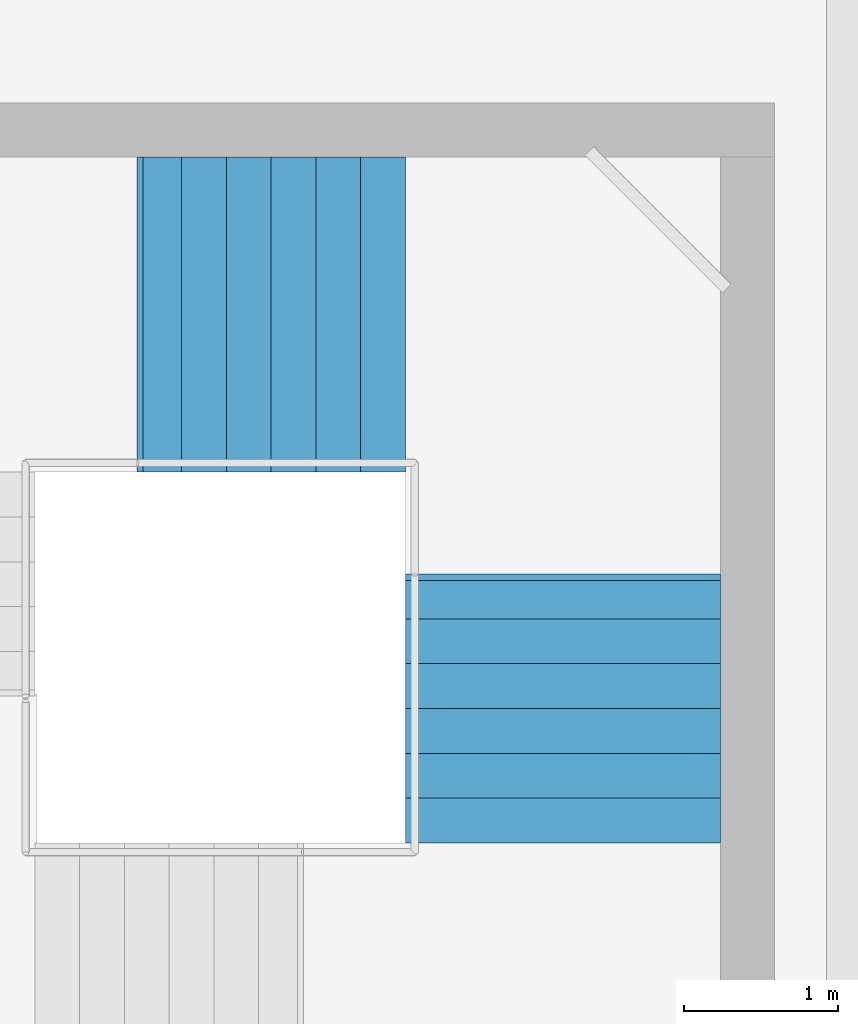
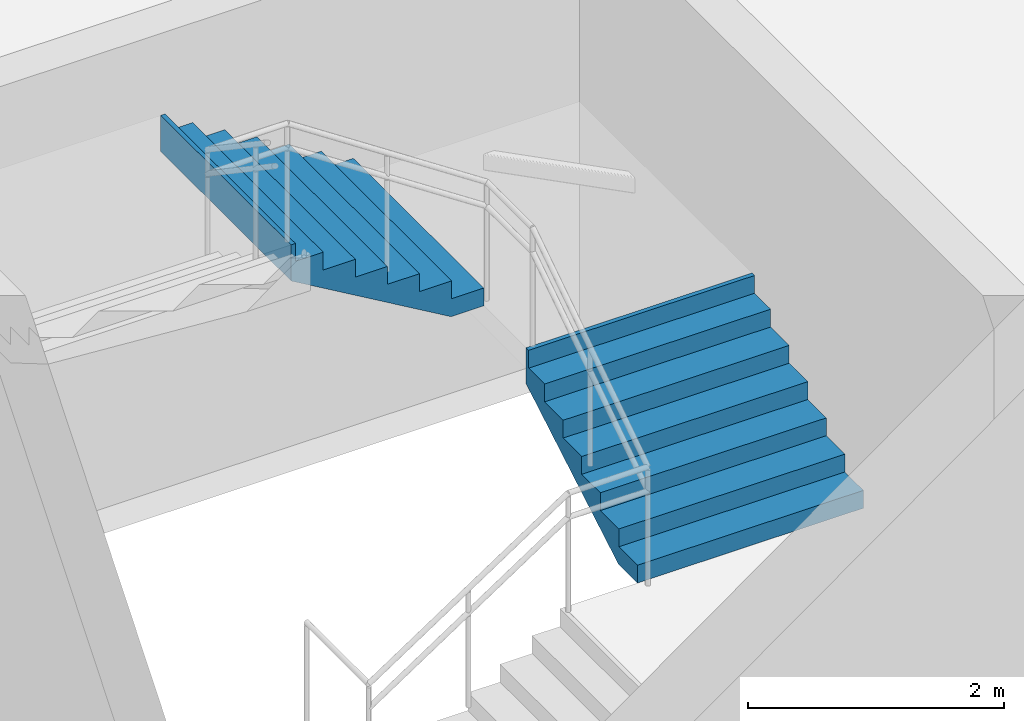
# One storey, part 45 of 49: 2 stair flights, 1 element without a shape of its own.
"""IFC4 building model written with IfcOpenShell, lengths in metres."""

from ifc_helpers import new_model, si_unit, direction, frame, origin, place, context, subcontext, project, spatial, triangles, material, type_object, element, aggregate, save


model = new_model("IFC4")

# Units and contexts
model_context = context("Model", 3, precision=1e-05, world=origin(), true_north=direction((0.0, 1.0)))
body_context = subcontext(model_context, "Body", "Model", "MODEL_VIEW")
ifc_project = project(units=[si_unit("LENGTHUNIT", "METRE"), si_unit("AREAUNIT", "SQUARE_METRE"), si_unit("VOLUMEUNIT", "CUBIC_METRE"), si_unit("PLANEANGLEUNIT", "RADIAN"), si_unit("MASSUNIT", "GRAM", prefix="KILO")], contexts=[model_context])

# Site, building, storey
site_placement = place(None, origin())
site = spatial("IfcSite", under=ifc_project, at=site_placement, CompositionType="ELEMENT")
building_placement = place(site_placement, origin())
building = spatial("IfcBuilding", under=site, at=building_placement, Name="Sillaruma Civic Art Gallery", CompositionType="ELEMENT")
storey_placement = place(building_placement, frame((0.0, 0.0, 33.14990234375)))
storey = spatial("IfcBuildingStorey", under=building, at=storey_placement, Name="L06", CompositionType="ELEMENT", Elevation=33.14990234375)

# Stair, stair flights
ifc_material = material(Name="Concrete H35 (35 MPa)", Category="concrete")
stair_type = type_object("IfcStairType", Name="STR-4F-27", PredefinedType="USERDEFINED", material=ifc_material)
stair_placement = place(storey_placement, origin())
stair = element("IfcStair", 1, at=stair_placement, inside=storey, type_object=stair_type, Name="Protected Exit Stair ST-04 (East Bar) (L06)", ObjectType="THREE_RETURN_STAIR", PredefinedType="USERDEFINED")
stair_flight_type = type_object("IfcStairFlightType", Name="SFL-STR-7", PredefinedType="STRAIGHT", material=ifc_material)
stair_flight_1_placement = place(storey_placement, frame((104.320068359375, 53.25, 1.190185546875), z_axis=(0.0, 0.0, 1.0), x_axis=(0.0, 1.0, 0.0)))
stair_flight_1 = element("IfcStairFlight", 2, at=stair_flight_1_placement, type_object=stair_flight_type, Name="ST-04 flight 2", NumberOfRisers=7, NumberOfTreads=6, PredefinedType="STRAIGHT", RiserHeight=0.17, TreadLength=0.29, context=body_context, shape_type="Tessellation", body=[
    triangles([(0.0, -1.02001953125, 0.0), (0.29, -1.02001953125, 0.0), (0.296404, -1.02001953125, 0.0), (0.58, -1.02001953125, 0.166246), (0.87, -1.02001953125, 0.336246), (1.16, -1.02001953125, 0.506246), (1.45, -1.02001953125, 0.676246), (1.69999, -1.02001953125, 0.822792), (1.73999, -1.02001953125, 0.84624), (1.73999, -1.02001953125, 1.19), (1.69999, -1.02001953125, 1.19), (1.69999, -1.02001953125, 1.02), (1.45, -1.02001953125, 1.02), (1.45, -1.02001953125, 0.85), (1.16, -1.02001953125, 0.85), (1.16, -1.02001953125, 0.68), (0.87, -1.02001953125, 0.68), (0.87, -1.02001953125, 0.51), (0.58, -1.02001953125, 0.51), (0.58, -1.02001953125, 0.34), (0.296404, -1.02001953125, 0.34), (0.29, -1.02001953125, 0.34), (0.29, -1.02001953125, 0.17), (0.0, -1.02001953125, 0.17), (0.0, -0.05, 0.0), (0.29, -0.05, 0.0), (0.296404, -0.05, 0.0), (0.58, -0.05, 0.166246), (0.87, -0.05, 0.336246), (1.16, -0.05, 0.506246), (1.45, -0.05, 0.676246), (1.69999, -0.05, 0.822792), (1.73999, -0.05, 0.84624), (1.73999, -0.05, 1.19), (1.69999, -0.05, 1.19), (1.69999, -0.05, 1.02), (1.45, -0.05, 1.02), (1.45, -0.05, 0.85), (1.16, -0.05, 0.85), (1.16, -0.05, 0.68), (0.87, -0.05, 0.68), (0.87, -0.05, 0.51), (0.58, -0.05, 0.51), (0.58, -0.05, 0.34), (0.296404, -0.05, 0.34), (0.29, -0.05, 0.34), (0.29, -0.05, 0.17), (0.0, -0.05, 0.17), (0.0, -0.0375, 0.0), (0.29, -0.0375, 0.0), (0.296404, -0.0375, 0.0), (0.58, -0.0375, 0.166246), (0.87, -0.0375, 0.336246), (1.16, -0.0375, 0.506246), (1.45, -0.0375, 0.676246), (1.69999, -0.0375, 0.822792), (1.73999, -0.0375, 0.84624), (1.73999, -0.0375, 1.19), (1.69999, -0.0375, 1.19), (1.69999, -0.0375, 1.02), (1.45, -0.0375, 1.02), (1.45, -0.0375, 0.85), (1.16, -0.0375, 0.85), (1.16, -0.0375, 0.68), (0.87, -0.0375, 0.68), (0.87, -0.0375, 0.51), (0.58, -0.0375, 0.51), (0.58, -0.0375, 0.34), (0.296404, -0.0375, 0.34), (0.29, -0.0375, 0.34), (0.29, -0.0375, 0.17), (0.0, -0.0375, 0.17), (0.0, -0.025, 0.0), (0.29, -0.025, 0.0), (0.296404, -0.025, 0.0), (0.58, -0.025, 0.166246), (0.87, -0.025, 0.336246), (1.16, -0.025, 0.506246), (1.45, -0.025, 0.676246), (1.69999, -0.025, 0.822792), (1.73999, -0.025, 0.84624), (1.73999, -0.025, 1.19), (1.69999, -0.025, 1.19), (1.69999, -0.025, 1.02), (1.45, -0.025, 1.02), (1.45, -0.025, 0.85), (1.16, -0.025, 0.85), (1.16, -0.025, 0.68), (0.87, -0.025, 0.68), (0.87, -0.025, 0.51), (0.58, -0.025, 0.51), (0.58, -0.025, 0.34), (0.296404, -0.025, 0.34), (0.29, -0.025, 0.34), (0.29, -0.025, 0.17), (0.0, -0.025, 0.17), (0.0, -0.0125, 0.0), (0.29, -0.0125, 0.0), (0.296404, -0.0125, 0.0), (0.58, -0.0125, 0.166246), (0.87, -0.0125, 0.336246), (1.16, -0.0125, 0.506246), (1.45, -0.0125, 0.676246), (1.69999, -0.0125, 0.822792), (1.73999, -0.0125, 0.84624), (1.73999, -0.0125, 1.19), (1.69999, -0.0125, 1.19), (1.69999, -0.0125, 1.02), (1.45, -0.0125, 1.02), (1.45, -0.0125, 0.85), (1.16, -0.0125, 0.85), (1.16, -0.0125, 0.68), (0.87, -0.0125, 0.68), (0.87, -0.0125, 0.51), (0.58, -0.0125, 0.51), (0.58, -0.0125, 0.34), (0.296404, -0.0125, 0.34), (0.29, -0.0125, 0.34), (0.29, -0.0125, 0.17), (0.0, -0.0125, 0.17), (0.0, 0.0, 0.0), (0.29, 0.0, 0.0), (0.296404, 0.0, 0.0), (0.58, 0.0, 0.166246), (0.87, 0.0, 0.336246), (1.16, 0.0, 0.506246), (1.45, 0.0, 0.676246), (1.69999, 0.0, 0.822792), (1.73999, 0.0, 0.84624), (1.73999, 0.0, 1.19), (1.69999, 0.0, 1.19), (1.69999, 0.0, 1.02), (1.45, 0.0, 1.02), (1.45, 0.0, 0.85), (1.16, 0.0, 0.85), (1.16, 0.0, 0.68), (0.87, 0.0, 0.68), (0.87, 0.0, 0.51), (0.58, 0.0, 0.51), (0.58, 0.0, 0.34), (0.296404, 0.0, 0.34), (0.29, 0.0, 0.34), (0.29, 0.0, 0.17), (0.0, 0.0, 0.17), (0.0, 0.0125, 0.0), (0.29, 0.0125, 0.0), (0.296404, 0.0125, 0.0), (0.58, 0.0125, 0.166246), (0.87, 0.0125, 0.336246), (1.16, 0.0125, 0.506246), (1.45, 0.0125, 0.676246), (1.69999, 0.0125, 0.822792), (1.73999, 0.0125, 0.84624), (1.73999, 0.0125, 1.19), (1.69999, 0.0125, 1.19), (1.69999, 0.0125, 1.02), (1.45, 0.0125, 1.02), (1.45, 0.0125, 0.85), (1.16, 0.0125, 0.85), (1.16, 0.0125, 0.68), (0.87, 0.0125, 0.68), (0.87, 0.0125, 0.51), (0.58, 0.0125, 0.51), (0.58, 0.0125, 0.34), (0.296404, 0.0125, 0.34), (0.29, 0.0125, 0.34), (0.29, 0.0125, 0.17), (0.0, 0.0125, 0.17), (0.0, 0.025, 0.0), (0.29, 0.025, 0.0), (0.296404, 0.025, 0.0), (0.58, 0.025, 0.166246), (0.87, 0.025, 0.336246), (1.16, 0.025, 0.506246), (1.45, 0.025, 0.676246), (1.69999, 0.025, 0.822792), (1.73999, 0.025, 0.84624), (1.73999, 0.025, 1.19), (1.69999, 0.025, 1.19), (1.69999, 0.025, 1.02), (1.45, 0.025, 1.02), (1.45, 0.025, 0.85), (1.16, 0.025, 0.85), (1.16, 0.025, 0.68), (0.87, 0.025, 0.68), (0.87, 0.025, 0.51), (0.58, 0.025, 0.51), (0.58, 0.025, 0.34), (0.296404, 0.025, 0.34), (0.29, 0.025, 0.34), (0.29, 0.025, 0.17), (0.0, 0.025, 0.17), (0.0, 0.0375, 0.0), (0.29, 0.0375, 0.0), (0.296404, 0.0375, 0.0), (0.58, 0.0375, 0.166246), (0.87, 0.0375, 0.336246), (1.16, 0.0375, 0.506246), (1.45, 0.0375, 0.676246), (1.69999, 0.0375, 0.822792), (1.73999, 0.0375, 0.84624), (1.73999, 0.0375, 1.19), (1.69999, 0.0375, 1.19), (1.69999, 0.0375, 1.02), (1.45, 0.0375, 1.02), (1.45, 0.0375, 0.85), (1.16, 0.0375, 0.85), (1.16, 0.0375, 0.68), (0.87, 0.0375, 0.68), (0.87, 0.0375, 0.51), (0.58, 0.0375, 0.51), (0.58, 0.0375, 0.34), (0.296404, 0.0375, 0.34), (0.29, 0.0375, 0.34), (0.29, 0.0375, 0.17), (0.0, 0.0375, 0.17), (0.0, 0.05, 0.0), (0.29, 0.05, 0.0), (0.296404, 0.05, 0.0), (0.58, 0.05, 0.166246), (0.87, 0.05, 0.336246), (1.16, 0.05, 0.506246), (1.45, 0.05, 0.676246), (1.69999, 0.05, 0.822792), (1.73999, 0.05, 0.84624), (1.73999, 0.05, 1.19), (1.69999, 0.05, 1.19), (1.69999, 0.05, 1.02), (1.45, 0.05, 1.02), (1.45, 0.05, 0.85), (1.16, 0.05, 0.85), (1.16, 0.05, 0.68), (0.87, 0.05, 0.68), (0.87, 0.05, 0.51), (0.58, 0.05, 0.51), (0.58, 0.05, 0.34), (0.296404, 0.05, 0.34), (0.29, 0.05, 0.34), (0.29, 0.05, 0.17), (0.0, 0.05, 0.17), (0.0, 1.02001953125, 0.0), (0.29, 1.02001953125, 0.0), (0.296404, 1.02001953125, 0.0), (0.58, 1.02001953125, 0.166246), (0.87, 1.02001953125, 0.336246), (1.16, 1.02001953125, 0.506246), (1.45, 1.02001953125, 0.676246), (1.69999, 1.02001953125, 0.822792), (1.73999, 1.02001953125, 0.84624), (1.73999, 1.02001953125, 1.19), (1.69999, 1.02001953125, 1.19), (1.69999, 1.02001953125, 1.02), (1.45, 1.02001953125, 1.02), (1.45, 1.02001953125, 0.85), (1.16, 1.02001953125, 0.85), (1.16, 1.02001953125, 0.68), (0.87, 1.02001953125, 0.68), (0.87, 1.02001953125, 0.51), (0.58, 1.02001953125, 0.51), (0.58, 1.02001953125, 0.34), (0.296404, 1.02001953125, 0.34), (0.29, 1.02001953125, 0.34), (0.29, 1.02001953125, 0.17), (0.0, 1.02001953125, 0.17)], [[1, 2, 23], [1, 23, 24], [2, 3, 21], [2, 21, 23], [23, 21, 22], [3, 4, 20], [3, 20, 21], [4, 5, 18], [4, 18, 20], [20, 18, 19], [5, 6, 16], [5, 16, 18], [18, 16, 17], [6, 7, 14], [6, 14, 16], [16, 14, 15], [7, 8, 12], [7, 12, 14], [14, 12, 13], [8, 9, 10], [8, 10, 12], [12, 10, 11], [263, 242, 241], [264, 263, 241], [261, 243, 242], [263, 261, 242], [262, 261, 263], [260, 244, 243], [261, 260, 243], [258, 245, 244], [260, 258, 244], [259, 258, 260], [256, 246, 245], [258, 256, 245], [257, 256, 258], [254, 247, 246], [256, 254, 246], [255, 254, 256], [252, 248, 247], [254, 252, 247], [253, 252, 254], [250, 249, 248], [252, 250, 248], [251, 250, 252], [2, 1, 25], [2, 25, 26], [3, 2, 26], [3, 26, 27], [4, 3, 27], [4, 27, 28], [5, 4, 28], [5, 28, 29], [6, 5, 29], [6, 29, 30], [7, 6, 30], [7, 30, 31], [8, 7, 31], [8, 31, 32], [9, 8, 32], [9, 32, 33], [10, 9, 33], [10, 33, 34], [11, 10, 34], [11, 34, 35], [12, 11, 35], [12, 35, 36], [13, 12, 36], [13, 36, 37], [14, 13, 37], [14, 37, 38], [15, 14, 38], [15, 38, 39], [16, 15, 39], [16, 39, 40], [17, 16, 40], [17, 40, 41], [18, 17, 41], [18, 41, 42], [19, 18, 42], [19, 42, 43], [20, 19, 43], [20, 43, 44], [21, 20, 44], [21, 44, 45], [22, 21, 45], [22, 45, 46], [23, 22, 46], [23, 46, 47], [24, 23, 47], [24, 47, 48], [1, 24, 48], [1, 48, 25], [26, 25, 49], [26, 49, 50], [27, 26, 50], [27, 50, 51], [28, 27, 51], [28, 51, 52], [29, 28, 52], [29, 52, 53], [30, 29, 53], [30, 53, 54], [31, 30, 54], [31, 54, 55], [32, 31, 55], [32, 55, 56], [33, 32, 56], [33, 56, 57], [34, 33, 57], [34, 57, 58], [35, 34, 58], [35, 58, 59], [36, 35, 59], [36, 59, 60], [37, 36, 60], [37, 60, 61], [38, 37, 61], [38, 61, 62], [39, 38, 62], [39, 62, 63], [40, 39, 63], [40, 63, 64], [41, 40, 64], [41, 64, 65], [42, 41, 65], [42, 65, 66], [43, 42, 66], [43, 66, 67], [44, 43, 67], [44, 67, 68], [45, 44, 68], [45, 68, 69], [46, 45, 69], [46, 69, 70], [47, 46, 70], [47, 70, 71], [48, 47, 71], [48, 71, 72], [25, 48, 72], [25, 72, 49], [50, 49, 73], [50, 73, 74], [51, 50, 74], [51, 74, 75], [52, 51, 75], [52, 75, 76], [53, 52, 76], [53, 76, 77], [54, 53, 77], [54, 77, 78], [55, 54, 78], [55, 78, 79], [56, 55, 79], [56, 79, 80], [57, 56, 80], [57, 80, 81], [58, 57, 81], [58, 81, 82], [59, 58, 82], [59, 82, 83], [60, 59, 83], [60, 83, 84], [61, 60, 84], [61, 84, 85], [62, 61, 85], [62, 85, 86], [63, 62, 86], [63, 86, 87], [64, 63, 87], [64, 87, 88], [65, 64, 88], [65, 88, 89], [66, 65, 89], [66, 89, 90], [67, 66, 90], [67, 90, 91], [68, 67, 91], [68, 91, 92], [69, 68, 92], [69, 92, 93], [70, 69, 93], [70, 93, 94], [71, 70, 94], [71, 94, 95], [72, 71, 95], [72, 95, 96], [49, 72, 96], [49, 96, 73], [74, 73, 97], [74, 97, 98], [75, 74, 98], [75, 98, 99], [76, 75, 99], [76, 99, 100], [77, 76, 100], [77, 100, 101], [78, 77, 101], [78, 101, 102], [79, 78, 102], [79, 102, 103], [80, 79, 103], [80, 103, 104], [81, 80, 104], [81, 104, 105], [82, 81, 105], [82, 105, 106], [83, 82, 106], [83, 106, 107], [84, 83, 107], [84, 107, 108], [85, 84, 108], [85, 108, 109], [86, 85, 109], [86, 109, 110], [87, 86, 110], [87, 110, 111], [88, 87, 111], [88, 111, 112], [89, 88, 112], [89, 112, 113], [90, 89, 113], [90, 113, 114], [91, 90, 114], [91, 114, 115], [92, 91, 115], [92, 115, 116], [93, 92, 116], [93, 116, 117], [94, 93, 117], [94, 117, 118], [95, 94, 118], [95, 118, 119], [96, 95, 119], [96, 119, 120], [73, 96, 120], [73, 120, 97], [98, 97, 121], [98, 121, 122], [99, 98, 122], [99, 122, 123], [100, 99, 123], [100, 123, 124], [101, 100, 124], [101, 124, 125], [102, 101, 125], [102, 125, 126], [103, 102, 126], [103, 126, 127], [104, 103, 127], [104, 127, 128], [105, 104, 128], [105, 128, 129], [106, 105, 129], [106, 129, 130], [107, 106, 130], [107, 130, 131], [108, 107, 131], [108, 131, 132], [109, 108, 132], [109, 132, 133], [110, 109, 133], [110, 133, 134], [111, 110, 134], [111, 134, 135], [112, 111, 135], [112, 135, 136], [113, 112, 136], [113, 136, 137], [114, 113, 137], [114, 137, 138], [115, 114, 138], [115, 138, 139], [116, 115, 139], [116, 139, 140], [117, 116, 140], [117, 140, 141], [118, 117, 141], [118, 141, 142], [119, 118, 142], [119, 142, 143], [120, 119, 143], [120, 143, 144], [97, 120, 144], [97, 144, 121], [122, 121, 145], [122, 145, 146], [123, 122, 146], [123, 146, 147], [124, 123, 147], [124, 147, 148], [125, 124, 148], [125, 148, 149], [126, 125, 149], [126, 149, 150], [127, 126, 150], [127, 150, 151], [128, 127, 151], [128, 151, 152], [129, 128, 152], [129, 152, 153], [130, 129, 153], [130, 153, 154], [131, 130, 154], [131, 154, 155], [132, 131, 155], [132, 155, 156], [133, 132, 156], [133, 156, 157], [134, 133, 157], [134, 157, 158], [135, 134, 158], [135, 158, 159], [136, 135, 159], [136, 159, 160], [137, 136, 160], [137, 160, 161], [138, 137, 161], [138, 161, 162], [139, 138, 162], [139, 162, 163], [140, 139, 163], [140, 163, 164], [141, 140, 164], [141, 164, 165], [142, 141, 165], [142, 165, 166], [143, 142, 166], [143, 166, 167], [144, 143, 167], [144, 167, 168], [121, 144, 168], [121, 168, 145], [146, 145, 169], [146, 169, 170], [147, 146, 170], [147, 170, 171], [148, 147, 171], [148, 171, 172], [149, 148, 172], [149, 172, 173], [150, 149, 173], [150, 173, 174], [151, 150, 174], [151, 174, 175], [152, 151, 175], [152, 175, 176], [153, 152, 176], [153, 176, 177], [154, 153, 177], [154, 177, 178], [155, 154, 178], [155, 178, 179], [156, 155, 179], [156, 179, 180], [157, 156, 180], [157, 180, 181], [158, 157, 181], [158, 181, 182], [159, 158, 182], [159, 182, 183], [160, 159, 183], [160, 183, 184], [161, 160, 184], [161, 184, 185], [162, 161, 185], [162, 185, 186], [163, 162, 186], [163, 186, 187], [164, 163, 187], [164, 187, 188], [165, 164, 188], [165, 188, 189], [166, 165, 189], [166, 189, 190], [167, 166, 190], [167, 190, 191], [168, 167, 191], [168, 191, 192], [145, 168, 192], [145, 192, 169], [170, 169, 193], [170, 193, 194], [171, 170, 194], [171, 194, 195], [172, 171, 195], [172, 195, 196], [173, 172, 196], [173, 196, 197], [174, 173, 197], [174, 197, 198], [175, 174, 198], [175, 198, 199], [176, 175, 199], [176, 199, 200], [177, 176, 200], [177, 200, 201], [178, 177, 201], [178, 201, 202], [179, 178, 202], [179, 202, 203], [180, 179, 203], [180, 203, 204], [181, 180, 204], [181, 204, 205], [182, 181, 205], [182, 205, 206], [183, 182, 206], [183, 206, 207], [184, 183, 207], [184, 207, 208], [185, 184, 208], [185, 208, 209], [186, 185, 209], [186, 209, 210], [187, 186, 210], [187, 210, 211], [188, 187, 211], [188, 211, 212], [189, 188, 212], [189, 212, 213], [190, 189, 213], [190, 213, 214], [191, 190, 214], [191, 214, 215], [192, 191, 215], [192, 215, 216], [169, 192, 216], [169, 216, 193], [194, 193, 217], [194, 217, 218], [195, 194, 218], [195, 218, 219], [196, 195, 219], [196, 219, 220], [197, 196, 220], [197, 220, 221], [198, 197, 221], [198, 221, 222], [199, 198, 222], [199, 222, 223], [200, 199, 223], [200, 223, 224], [201, 200, 224], [201, 224, 225], [202, 201, 225], [202, 225, 226], [203, 202, 226], [203, 226, 227], [204, 203, 227], [204, 227, 228], [205, 204, 228], [205, 228, 229], [206, 205, 229], [206, 229, 230], [207, 206, 230], [207, 230, 231], [208, 207, 231], [208, 231, 232], [209, 208, 232], [209, 232, 233], [210, 209, 233], [210, 233, 234], [211, 210, 234], [211, 234, 235], [212, 211, 235], [212, 235, 236], [213, 212, 236], [213, 236, 237], [214, 213, 237], [214, 237, 238], [215, 214, 238], [215, 238, 239], [216, 215, 239], [216, 239, 240], [193, 216, 240], [193, 240, 217], [218, 217, 241], [218, 241, 242], [219, 218, 242], [219, 242, 243], [220, 219, 243], [220, 243, 244], [221, 220, 244], [221, 244, 245], [222, 221, 245], [222, 245, 246], [223, 222, 246], [223, 246, 247], [224, 223, 247], [224, 247, 248], [225, 224, 248], [225, 248, 249], [226, 225, 249], [226, 249, 250], [227, 226, 250], [227, 250, 251], [228, 227, 251], [228, 251, 252], [229, 228, 252], [229, 252, 253], [230, 229, 253], [230, 253, 254], [231, 230, 254], [231, 254, 255], [232, 231, 255], [232, 255, 256], [233, 232, 256], [233, 256, 257], [234, 233, 257], [234, 257, 258], [235, 234, 258], [235, 258, 259], [236, 235, 259], [236, 259, 260], [237, 236, 260], [237, 260, 261], [238, 237, 261], [238, 261, 262], [239, 238, 262], [239, 262, 263], [240, 239, 263], [240, 263, 264], [217, 240, 264], [217, 264, 241]], closed=True),
])
stair_flight_2_placement = place(storey_placement, frame((103.300048828125, 56.669921875, 2.380126953125), z_axis=(0.0, 0.0, 1.0), x_axis=(-1.0, 0.0, 0.0)))
stair_flight_2 = element("IfcStairFlight", 3, at=stair_flight_2_placement, type_object=stair_flight_type, Name="ST-04 flight 3", NumberOfRisers=7, NumberOfTreads=6, PredefinedType="STRAIGHT", RiserHeight=0.17, TreadLength=0.29, context=body_context, shape_type="Tessellation", body=[
    triangles([(0.0, -1.02001953125, 0.0), (0.29, -1.02001953125, 0.0), (0.296404, -1.02001953125, 0.0), (0.58, -1.02001953125, 0.166246), (0.87, -1.02001953125, 0.336246), (1.16, -1.02001953125, 0.506246), (1.45, -1.02001953125, 0.676246), (1.69999, -1.02001953125, 0.822792), (1.73999, -1.02001953125, 0.84624), (1.73999, -1.02001953125, 1.19), (1.69999, -1.02001953125, 1.19), (1.69999, -1.02001953125, 1.02), (1.45, -1.02001953125, 1.02), (1.45, -1.02001953125, 0.85), (1.16, -1.02001953125, 0.85), (1.16, -1.02001953125, 0.68), (0.87, -1.02001953125, 0.68), (0.87, -1.02001953125, 0.51), (0.58, -1.02001953125, 0.51), (0.58, -1.02001953125, 0.34), (0.296404, -1.02001953125, 0.34), (0.29, -1.02001953125, 0.34), (0.29, -1.02001953125, 0.17), (0.0, -1.02001953125, 0.17), (0.0, -0.05, 0.0), (0.29, -0.05, 0.0), (0.296404, -0.05, 0.0), (0.58, -0.05, 0.166246), (0.87, -0.05, 0.336246), (1.16, -0.05, 0.506246), (1.45, -0.05, 0.676246), (1.69999, -0.05, 0.822792), (1.73999, -0.05, 0.84624), (1.73999, -0.05, 1.19), (1.69999, -0.05, 1.19), (1.69999, -0.05, 1.02), (1.45, -0.05, 1.02), (1.45, -0.05, 0.85), (1.16, -0.05, 0.85), (1.16, -0.05, 0.68), (0.87, -0.05, 0.68), (0.87, -0.05, 0.51), (0.58, -0.05, 0.51), (0.58, -0.05, 0.34), (0.296404, -0.05, 0.34), (0.29, -0.05, 0.34), (0.29, -0.05, 0.17), (0.0, -0.05, 0.17), (0.0, -0.0375, 0.0), (0.29, -0.0375, 0.0), (0.296404, -0.0375, 0.0), (0.58, -0.0375, 0.166246), (0.87, -0.0375, 0.336246), (1.16, -0.0375, 0.506246), (1.45, -0.0375, 0.676246), (1.69999, -0.0375, 0.822792), (1.73999, -0.0375, 0.84624), (1.73999, -0.0375, 1.19), (1.69999, -0.0375, 1.19), (1.69999, -0.0375, 1.02), (1.45, -0.0375, 1.02), (1.45, -0.0375, 0.85), (1.16, -0.0375, 0.85), (1.16, -0.0375, 0.68), (0.87, -0.0375, 0.68), (0.87, -0.0375, 0.51), (0.58, -0.0375, 0.51), (0.58, -0.0375, 0.34), (0.296404, -0.0375, 0.34), (0.29, -0.0375, 0.34), (0.29, -0.0375, 0.17), (0.0, -0.0375, 0.17), (0.0, -0.025, 0.0), (0.29, -0.025, 0.0), (0.296404, -0.025, 0.0), (0.58, -0.025, 0.166246), (0.87, -0.025, 0.336246), (1.16, -0.025, 0.506246), (1.45, -0.025, 0.676246), (1.69999, -0.025, 0.822792), (1.73999, -0.025, 0.84624), (1.73999, -0.025, 1.19), (1.69999, -0.025, 1.19), (1.69999, -0.025, 1.02), (1.45, -0.025, 1.02), (1.45, -0.025, 0.85), (1.16, -0.025, 0.85), (1.16, -0.025, 0.68), (0.87, -0.025, 0.68), (0.87, -0.025, 0.51), (0.58, -0.025, 0.51), (0.58, -0.025, 0.34), (0.296404, -0.025, 0.34), (0.29, -0.025, 0.34), (0.29, -0.025, 0.17), (0.0, -0.025, 0.17), (0.0, -0.0125, 0.0), (0.29, -0.0125, 0.0), (0.296404, -0.0125, 0.0), (0.58, -0.0125, 0.166246), (0.87, -0.0125, 0.336246), (1.16, -0.0125, 0.506246), (1.45, -0.0125, 0.676246), (1.69999, -0.0125, 0.822792), (1.73999, -0.0125, 0.84624), (1.73999, -0.0125, 1.19), (1.69999, -0.0125, 1.19), (1.69999, -0.0125, 1.02), (1.45, -0.0125, 1.02), (1.45, -0.0125, 0.85), (1.16, -0.0125, 0.85), (1.16, -0.0125, 0.68), (0.87, -0.0125, 0.68), (0.87, -0.0125, 0.51), (0.58, -0.0125, 0.51), (0.58, -0.0125, 0.34), (0.296404, -0.0125, 0.34), (0.29, -0.0125, 0.34), (0.29, -0.0125, 0.17), (0.0, -0.0125, 0.17), (0.0, 0.0, 0.0), (0.29, 0.0, 0.0), (0.296404, 0.0, 0.0), (0.58, 0.0, 0.166246), (0.87, 0.0, 0.336246), (1.16, 0.0, 0.506246), (1.45, 0.0, 0.676246), (1.69999, 0.0, 0.822792), (1.73999, 0.0, 0.84624), (1.73999, 0.0, 1.19), (1.69999, 0.0, 1.19), (1.69999, 0.0, 1.02), (1.45, 0.0, 1.02), (1.45, 0.0, 0.85), (1.16, 0.0, 0.85), (1.16, 0.0, 0.68), (0.87, 0.0, 0.68), (0.87, 0.0, 0.51), (0.58, 0.0, 0.51), (0.58, 0.0, 0.34), (0.296404, 0.0, 0.34), (0.29, 0.0, 0.34), (0.29, 0.0, 0.17), (0.0, 0.0, 0.17), (0.0, 0.0125, 0.0), (0.29, 0.0125, 0.0), (0.296404, 0.0125, 0.0), (0.58, 0.0125, 0.166246), (0.87, 0.0125, 0.336246), (1.16, 0.0125, 0.506246), (1.45, 0.0125, 0.676246), (1.69999, 0.0125, 0.822792), (1.73999, 0.0125, 0.84624), (1.73999, 0.0125, 1.19), (1.69999, 0.0125, 1.19), (1.69999, 0.0125, 1.02), (1.45, 0.0125, 1.02), (1.45, 0.0125, 0.85), (1.16, 0.0125, 0.85), (1.16, 0.0125, 0.68), (0.87, 0.0125, 0.68), (0.87, 0.0125, 0.51), (0.58, 0.0125, 0.51), (0.58, 0.0125, 0.34), (0.296404, 0.0125, 0.34), (0.29, 0.0125, 0.34), (0.29, 0.0125, 0.17), (0.0, 0.0125, 0.17), (0.0, 0.025, 0.0), (0.29, 0.025, 0.0), (0.296404, 0.025, 0.0), (0.58, 0.025, 0.166246), (0.87, 0.025, 0.336246), (1.16, 0.025, 0.506246), (1.45, 0.025, 0.676246), (1.69999, 0.025, 0.822792), (1.73999, 0.025, 0.84624), (1.73999, 0.025, 1.19), (1.69999, 0.025, 1.19), (1.69999, 0.025, 1.02), (1.45, 0.025, 1.02), (1.45, 0.025, 0.85), (1.16, 0.025, 0.85), (1.16, 0.025, 0.68), (0.87, 0.025, 0.68), (0.87, 0.025, 0.51), (0.58, 0.025, 0.51), (0.58, 0.025, 0.34), (0.296404, 0.025, 0.34), (0.29, 0.025, 0.34), (0.29, 0.025, 0.17), (0.0, 0.025, 0.17), (0.0, 0.0375, 0.0), (0.29, 0.0375, 0.0), (0.296404, 0.0375, 0.0), (0.58, 0.0375, 0.166246), (0.87, 0.0375, 0.336246), (1.16, 0.0375, 0.506246), (1.45, 0.0375, 0.676246), (1.69999, 0.0375, 0.822792), (1.73999, 0.0375, 0.84624), (1.73999, 0.0375, 1.19), (1.69999, 0.0375, 1.19), (1.69999, 0.0375, 1.02), (1.45, 0.0375, 1.02), (1.45, 0.0375, 0.85), (1.16, 0.0375, 0.85), (1.16, 0.0375, 0.68), (0.87, 0.0375, 0.68), (0.87, 0.0375, 0.51), (0.58, 0.0375, 0.51), (0.58, 0.0375, 0.34), (0.296404, 0.0375, 0.34), (0.29, 0.0375, 0.34), (0.29, 0.0375, 0.17), (0.0, 0.0375, 0.17), (0.0, 0.05, 0.0), (0.29, 0.05, 0.0), (0.296404, 0.05, 0.0), (0.58, 0.05, 0.166246), (0.87, 0.05, 0.336246), (1.16, 0.05, 0.506246), (1.45, 0.05, 0.676246), (1.69999, 0.05, 0.822792), (1.73999, 0.05, 0.84624), (1.73999, 0.05, 1.19), (1.69999, 0.05, 1.19), (1.69999, 0.05, 1.02), (1.45, 0.05, 1.02), (1.45, 0.05, 0.85), (1.16, 0.05, 0.85), (1.16, 0.05, 0.68), (0.87, 0.05, 0.68), (0.87, 0.05, 0.51), (0.58, 0.05, 0.51), (0.58, 0.05, 0.34), (0.296404, 0.05, 0.34), (0.29, 0.05, 0.34), (0.29, 0.05, 0.17), (0.0, 0.05, 0.17), (0.0, 1.02001953125, 0.0), (0.29, 1.02001953125, 0.0), (0.296404, 1.02001953125, 0.0), (0.58, 1.02001953125, 0.166246), (0.87, 1.02001953125, 0.336246), (1.16, 1.02001953125, 0.506246), (1.45, 1.02001953125, 0.676246), (1.69999, 1.02001953125, 0.822792), (1.73999, 1.02001953125, 0.84624), (1.73999, 1.02001953125, 1.19), (1.69999, 1.02001953125, 1.19), (1.69999, 1.02001953125, 1.02), (1.45, 1.02001953125, 1.02), (1.45, 1.02001953125, 0.85), (1.16, 1.02001953125, 0.85), (1.16, 1.02001953125, 0.68), (0.87, 1.02001953125, 0.68), (0.87, 1.02001953125, 0.51), (0.58, 1.02001953125, 0.51), (0.58, 1.02001953125, 0.34), (0.296404, 1.02001953125, 0.34), (0.29, 1.02001953125, 0.34), (0.29, 1.02001953125, 0.17), (0.0, 1.02001953125, 0.17)], [[1, 2, 23], [1, 23, 24], [2, 3, 21], [2, 21, 23], [23, 21, 22], [3, 4, 20], [3, 20, 21], [4, 5, 18], [4, 18, 20], [20, 18, 19], [5, 6, 16], [5, 16, 18], [18, 16, 17], [6, 7, 14], [6, 14, 16], [16, 14, 15], [7, 8, 12], [7, 12, 14], [14, 12, 13], [8, 9, 10], [8, 10, 12], [12, 10, 11], [263, 242, 241], [264, 263, 241], [261, 243, 242], [263, 261, 242], [262, 261, 263], [260, 244, 243], [261, 260, 243], [258, 245, 244], [260, 258, 244], [259, 258, 260], [256, 246, 245], [258, 256, 245], [257, 256, 258], [254, 247, 246], [256, 254, 246], [255, 254, 256], [252, 248, 247], [254, 252, 247], [253, 252, 254], [250, 249, 248], [252, 250, 248], [251, 250, 252], [2, 1, 25], [2, 25, 26], [3, 2, 26], [3, 26, 27], [4, 3, 27], [4, 27, 28], [5, 4, 28], [5, 28, 29], [6, 5, 29], [6, 29, 30], [7, 6, 30], [7, 30, 31], [8, 7, 31], [8, 31, 32], [9, 8, 32], [9, 32, 33], [10, 9, 33], [10, 33, 34], [11, 10, 34], [11, 34, 35], [12, 11, 35], [12, 35, 36], [13, 12, 36], [13, 36, 37], [14, 13, 37], [14, 37, 38], [15, 14, 38], [15, 38, 39], [16, 15, 39], [16, 39, 40], [17, 16, 40], [17, 40, 41], [18, 17, 41], [18, 41, 42], [19, 18, 42], [19, 42, 43], [20, 19, 43], [20, 43, 44], [21, 20, 44], [21, 44, 45], [22, 21, 45], [22, 45, 46], [23, 22, 46], [23, 46, 47], [24, 23, 47], [24, 47, 48], [1, 24, 48], [1, 48, 25], [26, 25, 49], [26, 49, 50], [27, 26, 50], [27, 50, 51], [28, 27, 51], [28, 51, 52], [29, 28, 52], [29, 52, 53], [30, 29, 53], [30, 53, 54], [31, 30, 54], [31, 54, 55], [32, 31, 55], [32, 55, 56], [33, 32, 56], [33, 56, 57], [34, 33, 57], [34, 57, 58], [35, 34, 58], [35, 58, 59], [36, 35, 59], [36, 59, 60], [37, 36, 60], [37, 60, 61], [38, 37, 61], [38, 61, 62], [39, 38, 62], [39, 62, 63], [40, 39, 63], [40, 63, 64], [41, 40, 64], [41, 64, 65], [42, 41, 65], [42, 65, 66], [43, 42, 66], [43, 66, 67], [44, 43, 67], [44, 67, 68], [45, 44, 68], [45, 68, 69], [46, 45, 69], [46, 69, 70], [47, 46, 70], [47, 70, 71], [48, 47, 71], [48, 71, 72], [25, 48, 72], [25, 72, 49], [50, 49, 73], [50, 73, 74], [51, 50, 74], [51, 74, 75], [52, 51, 75], [52, 75, 76], [53, 52, 76], [53, 76, 77], [54, 53, 77], [54, 77, 78], [55, 54, 78], [55, 78, 79], [56, 55, 79], [56, 79, 80], [57, 56, 80], [57, 80, 81], [58, 57, 81], [58, 81, 82], [59, 58, 82], [59, 82, 83], [60, 59, 83], [60, 83, 84], [61, 60, 84], [61, 84, 85], [62, 61, 85], [62, 85, 86], [63, 62, 86], [63, 86, 87], [64, 63, 87], [64, 87, 88], [65, 64, 88], [65, 88, 89], [66, 65, 89], [66, 89, 90], [67, 66, 90], [67, 90, 91], [68, 67, 91], [68, 91, 92], [69, 68, 92], [69, 92, 93], [70, 69, 93], [70, 93, 94], [71, 70, 94], [71, 94, 95], [72, 71, 95], [72, 95, 96], [49, 72, 96], [49, 96, 73], [74, 73, 97], [74, 97, 98], [75, 74, 98], [75, 98, 99], [76, 75, 99], [76, 99, 100], [77, 76, 100], [77, 100, 101], [78, 77, 101], [78, 101, 102], [79, 78, 102], [79, 102, 103], [80, 79, 103], [80, 103, 104], [81, 80, 104], [81, 104, 105], [82, 81, 105], [82, 105, 106], [83, 82, 106], [83, 106, 107], [84, 83, 107], [84, 107, 108], [85, 84, 108], [85, 108, 109], [86, 85, 109], [86, 109, 110], [87, 86, 110], [87, 110, 111], [88, 87, 111], [88, 111, 112], [89, 88, 112], [89, 112, 113], [90, 89, 113], [90, 113, 114], [91, 90, 114], [91, 114, 115], [92, 91, 115], [92, 115, 116], [93, 92, 116], [93, 116, 117], [94, 93, 117], [94, 117, 118], [95, 94, 118], [95, 118, 119], [96, 95, 119], [96, 119, 120], [73, 96, 120], [73, 120, 97], [98, 97, 121], [98, 121, 122], [99, 98, 122], [99, 122, 123], [100, 99, 123], [100, 123, 124], [101, 100, 124], [101, 124, 125], [102, 101, 125], [102, 125, 126], [103, 102, 126], [103, 126, 127], [104, 103, 127], [104, 127, 128], [105, 104, 128], [105, 128, 129], [106, 105, 129], [106, 129, 130], [107, 106, 130], [107, 130, 131], [108, 107, 131], [108, 131, 132], [109, 108, 132], [109, 132, 133], [110, 109, 133], [110, 133, 134], [111, 110, 134], [111, 134, 135], [112, 111, 135], [112, 135, 136], [113, 112, 136], [113, 136, 137], [114, 113, 137], [114, 137, 138], [115, 114, 138], [115, 138, 139], [116, 115, 139], [116, 139, 140], [117, 116, 140], [117, 140, 141], [118, 117, 141], [118, 141, 142], [119, 118, 142], [119, 142, 143], [120, 119, 143], [120, 143, 144], [97, 120, 144], [97, 144, 121], [122, 121, 145], [122, 145, 146], [123, 122, 146], [123, 146, 147], [124, 123, 147], [124, 147, 148], [125, 124, 148], [125, 148, 149], [126, 125, 149], [126, 149, 150], [127, 126, 150], [127, 150, 151], [128, 127, 151], [128, 151, 152], [129, 128, 152], [129, 152, 153], [130, 129, 153], [130, 153, 154], [131, 130, 154], [131, 154, 155], [132, 131, 155], [132, 155, 156], [133, 132, 156], [133, 156, 157], [134, 133, 157], [134, 157, 158], [135, 134, 158], [135, 158, 159], [136, 135, 159], [136, 159, 160], [137, 136, 160], [137, 160, 161], [138, 137, 161], [138, 161, 162], [139, 138, 162], [139, 162, 163], [140, 139, 163], [140, 163, 164], [141, 140, 164], [141, 164, 165], [142, 141, 165], [142, 165, 166], [143, 142, 166], [143, 166, 167], [144, 143, 167], [144, 167, 168], [121, 144, 168], [121, 168, 145], [146, 145, 169], [146, 169, 170], [147, 146, 170], [147, 170, 171], [148, 147, 171], [148, 171, 172], [149, 148, 172], [149, 172, 173], [150, 149, 173], [150, 173, 174], [151, 150, 174], [151, 174, 175], [152, 151, 175], [152, 175, 176], [153, 152, 176], [153, 176, 177], [154, 153, 177], [154, 177, 178], [155, 154, 178], [155, 178, 179], [156, 155, 179], [156, 179, 180], [157, 156, 180], [157, 180, 181], [158, 157, 181], [158, 181, 182], [159, 158, 182], [159, 182, 183], [160, 159, 183], [160, 183, 184], [161, 160, 184], [161, 184, 185], [162, 161, 185], [162, 185, 186], [163, 162, 186], [163, 186, 187], [164, 163, 187], [164, 187, 188], [165, 164, 188], [165, 188, 189], [166, 165, 189], [166, 189, 190], [167, 166, 190], [167, 190, 191], [168, 167, 191], [168, 191, 192], [145, 168, 192], [145, 192, 169], [170, 169, 193], [170, 193, 194], [171, 170, 194], [171, 194, 195], [172, 171, 195], [172, 195, 196], [173, 172, 196], [173, 196, 197], [174, 173, 197], [174, 197, 198], [175, 174, 198], [175, 198, 199], [176, 175, 199], [176, 199, 200], [177, 176, 200], [177, 200, 201], [178, 177, 201], [178, 201, 202], [179, 178, 202], [179, 202, 203], [180, 179, 203], [180, 203, 204], [181, 180, 204], [181, 204, 205], [182, 181, 205], [182, 205, 206], [183, 182, 206], [183, 206, 207], [184, 183, 207], [184, 207, 208], [185, 184, 208], [185, 208, 209], [186, 185, 209], [186, 209, 210], [187, 186, 210], [187, 210, 211], [188, 187, 211], [188, 211, 212], [189, 188, 212], [189, 212, 213], [190, 189, 213], [190, 213, 214], [191, 190, 214], [191, 214, 215], [192, 191, 215], [192, 215, 216], [169, 192, 216], [169, 216, 193], [194, 193, 217], [194, 217, 218], [195, 194, 218], [195, 218, 219], [196, 195, 219], [196, 219, 220], [197, 196, 220], [197, 220, 221], [198, 197, 221], [198, 221, 222], [199, 198, 222], [199, 222, 223], [200, 199, 223], [200, 223, 224], [201, 200, 224], [201, 224, 225], [202, 201, 225], [202, 225, 226], [203, 202, 226], [203, 226, 227], [204, 203, 227], [204, 227, 228], [205, 204, 228], [205, 228, 229], [206, 205, 229], [206, 229, 230], [207, 206, 230], [207, 230, 231], [208, 207, 231], [208, 231, 232], [209, 208, 232], [209, 232, 233], [210, 209, 233], [210, 233, 234], [211, 210, 234], [211, 234, 235], [212, 211, 235], [212, 235, 236], [213, 212, 236], [213, 236, 237], [214, 213, 237], [214, 237, 238], [215, 214, 238], [215, 238, 239], [216, 215, 239], [216, 239, 240], [193, 216, 240], [193, 240, 217], [218, 217, 241], [218, 241, 242], [219, 218, 242], [219, 242, 243], [220, 219, 243], [220, 243, 244], [221, 220, 244], [221, 244, 245], [222, 221, 245], [222, 245, 246], [223, 222, 246], [223, 246, 247], [224, 223, 247], [224, 247, 248], [225, 224, 248], [225, 248, 249], [226, 225, 249], [226, 249, 250], [227, 226, 250], [227, 250, 251], [228, 227, 251], [228, 251, 252], [229, 228, 252], [229, 252, 253], [230, 229, 253], [230, 253, 254], [231, 230, 254], [231, 254, 255], [232, 231, 255], [232, 255, 256], [233, 232, 256], [233, 256, 257], [234, 233, 257], [234, 257, 258], [235, 234, 258], [235, 258, 259], [236, 235, 259], [236, 259, 260], [237, 236, 260], [237, 260, 261], [238, 237, 261], [238, 261, 262], [239, 238, 262], [239, 262, 263], [240, 239, 263], [240, 263, 264], [217, 240, 264], [217, 264, 241]], closed=True),
])
aggregate(stair, [stair_flight_1, stair_flight_2])

save(model, "model.ifc")
